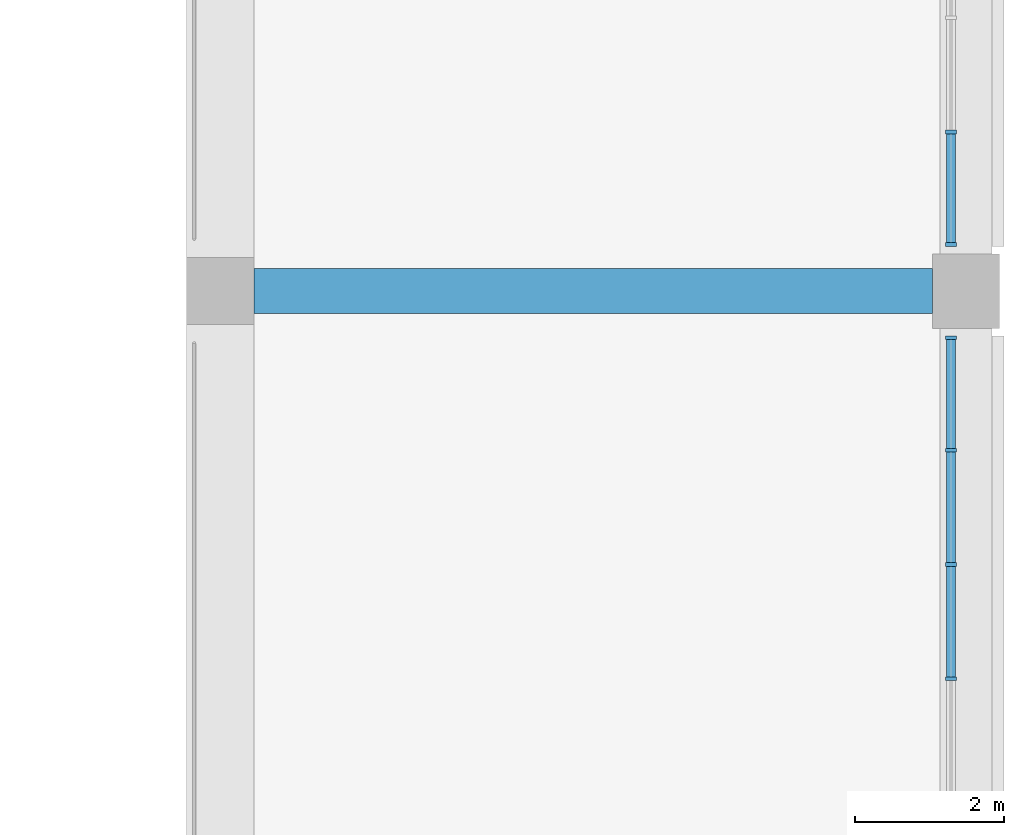
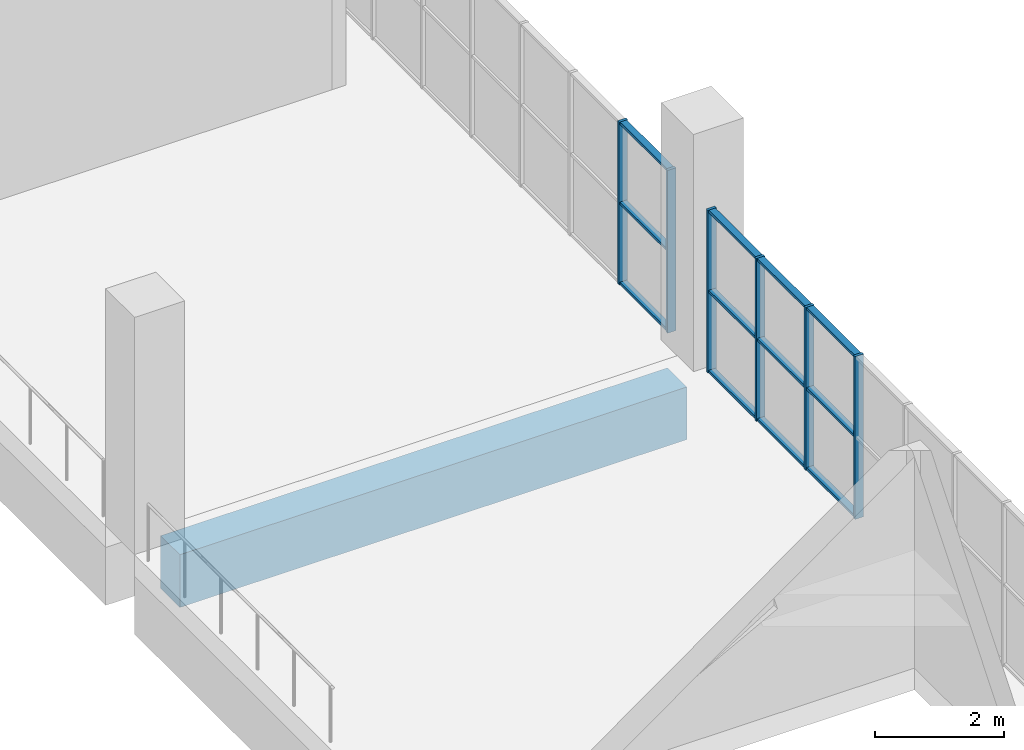
# One storey, part 26 of 177: 18 members, 1 beam, 2 elements without a shape of their own.
"""IFC4 building model written with IfcOpenShell, lengths in metres."""

from ifc_helpers import new_model, si_unit, direction, frame, origin, origin_2d, place, context, subcontext, project, spatial, rectangle, extrude, material, material_profile, profile_set, type_object, element, aggregate, save


model = new_model("IFC4")

# Units and contexts
model_context = context("Model", 3, precision=1e-05, world=origin(), true_north=direction((0.0, 1.0)))
body_context = subcontext(model_context, "Body", "Model", "MODEL_VIEW")
ifc_project = project(units=[si_unit("LENGTHUNIT", "METRE"), si_unit("AREAUNIT", "SQUARE_METRE"), si_unit("VOLUMEUNIT", "CUBIC_METRE"), si_unit("PLANEANGLEUNIT", "RADIAN"), si_unit("MASSUNIT", "GRAM", prefix="KILO")], contexts=[model_context])

# Site, building, storey
site_placement = place(None, origin())
site = spatial("IfcSite", under=ifc_project, at=site_placement, CompositionType="ELEMENT")
building_placement = place(site_placement, origin())
building = spatial("IfcBuilding", under=site, at=building_placement, Name="Ogive Plaza Stadium", CompositionType="ELEMENT")
storey_placement = place(building_placement, frame((0.0, 0.0, 18.0)))
storey = spatial("IfcBuildingStorey", under=building, at=storey_placement, Name="L04", CompositionType="ELEMENT", Elevation=18.0)

# Curtain wall, members
ifc_material_1 = material(Name="Bronze-anodised aluminium with laminated glass", Category="aluminium")
curtain_wall_type = type_object("IfcCurtainWallType", Name="Lancet curtain wall", PredefinedType="NOTDEFINED", material=ifc_material_1)
curtain_wall_1_placement = place(storey_placement, origin())
curtain_wall_1 = element("IfcCurtainWall", 1, at=curtain_wall_1_placement, inside=storey, type_object=curtain_wall_type, Name="CURTAIN WALL B02 L04", PredefinedType="NOTDEFINED")
ifc_material_2 = material(Name="Bronze-anodised aluminium", Category="aluminium")
ifc_material_profile_1 = material_profile(ifc_material_2, rectangle(XDim=0.14990234375, YDim=0.050048828125, at=origin_2d()), Name="AL 150x50")
ifc_profile_set_1 = profile_set([ifc_material_profile_1], Name="Bronze-anodised aluminium")
member_type_1 = type_object("IfcMemberType", Name="Curtain wall mullion 50x150", PredefinedType="MULLION", material=ifc_profile_set_1)
member_1_placement = place(storey_placement, frame((83.800048828125, 24.63330078125, 0.0), z_axis=(0.0, 0.0, 1.0), x_axis=(1.0, 0.0, 0.0)))
member_1 = element("IfcMember", 2, at=member_1_placement, type_object=member_type_1, Name="CW-B02-L04 mullion 9", PredefinedType="MULLION", context=body_context, shape_type="SweptSolid", body=[
    extrude(rectangle(XDim=0.14990234375, YDim=0.050048828125, at=origin_2d()), origin(), (0.0, 0.0, 1.0), 3.090087890625),
])
member_2_placement = place(storey_placement, frame((83.800048828125, 23.125, 0.0), z_axis=(0.0, 0.0, 1.0), x_axis=(1.0, 0.0, 0.0)))
member_2 = element("IfcMember", 3, at=member_2_placement, type_object=member_type_1, Name="CW-B02-L04 mullion 10", PredefinedType="MULLION", context=body_context, shape_type="SweptSolid", body=[
    extrude(rectangle(XDim=0.14990234375, YDim=0.050048828125, at=origin_2d()), origin(), (0.0, 0.0, 1.0), 3.090087890625),
])

curtain_wall_2_placement = place(storey_placement, origin())
curtain_wall_2 = element("IfcCurtainWall", 4, at=curtain_wall_2_placement, inside=storey, type_object=curtain_wall_type, Name="CURTAIN WALL B03 L04", PredefinedType="NOTDEFINED")
member_3_placement = place(storey_placement, frame((83.800048828125, 21.875, 0.0), z_axis=(0.0, 0.0, 1.0), x_axis=(1.0, 0.0, 0.0)))
member_3 = element("IfcMember", 5, at=member_3_placement, type_object=member_type_1, Name="CW-B03-L04 mullion 1", PredefinedType="MULLION", context=body_context, shape_type="SweptSolid", body=[
    extrude(rectangle(XDim=0.14990234375, YDim=0.050048828125, at=origin_2d()), origin(), (0.0, 0.0, 1.0), 3.090087890625),
])
member_4_placement = place(storey_placement, frame((83.800048828125, 20.36669921875, 0.0), z_axis=(0.0, 0.0, 1.0), x_axis=(1.0, 0.0, 0.0)))
member_4 = element("IfcMember", 6, at=member_4_placement, type_object=member_type_1, Name="CW-B03-L04 mullion 2", PredefinedType="MULLION", context=body_context, shape_type="SweptSolid", body=[
    extrude(rectangle(XDim=0.14990234375, YDim=0.050048828125, at=origin_2d()), origin(), (0.0, 0.0, 1.0), 3.090087890625),
])
member_5_placement = place(storey_placement, frame((83.800048828125, 18.833251953125, 0.0), z_axis=(0.0, 0.0, 1.0), x_axis=(1.0, 0.0, 0.0)))
member_5 = element("IfcMember", 7, at=member_5_placement, type_object=member_type_1, Name="CW-B03-L04 mullion 3", PredefinedType="MULLION", context=body_context, shape_type="SweptSolid", body=[
    extrude(rectangle(XDim=0.14990234375, YDim=0.050048828125, at=origin_2d()), origin(), (0.0, 0.0, 1.0), 3.090087890625),
])
member_6_placement = place(storey_placement, frame((83.800048828125, 17.300048828125, 0.0), z_axis=(0.0, 0.0, 1.0), x_axis=(1.0, 0.0, 0.0)))
member_6 = element("IfcMember", 8, at=member_6_placement, type_object=member_type_1, Name="CW-B03-L04 mullion 4", PredefinedType="MULLION", context=body_context, shape_type="SweptSolid", body=[
    extrude(rectangle(XDim=0.14990234375, YDim=0.050048828125, at=origin_2d()), origin(), (0.0, 0.0, 1.0), 3.090087890625),
])

# Member
ifc_material_3 = material(Name="Bronze-anodised aluminium", Category="aluminium")
ifc_material_profile_2 = material_profile(ifc_material_3, rectangle(XDim=0.1201171875, YDim=0.050048828125, at=origin_2d()), Name="AL 120x50")
ifc_profile_set_2 = profile_set([ifc_material_profile_2], Name="Bronze-anodised aluminium")
member_type_2 = type_object("IfcMemberType", Name="Curtain wall transom 50x120", PredefinedType="USERDEFINED", material=ifc_profile_set_2)
member_7_placement = place(storey_placement, frame((83.800048828125, 24.6083984375, 0.02490234375), z_axis=(0.0, -1.0, 0.0), x_axis=(1.0, 0.0, 0.0)))
member_7 = element("IfcMember", 9, at=member_7_placement, type_object=member_type_2, Name="CW-B02-L04 transom 9.1", ObjectType="TRANSOM", PredefinedType="USERDEFINED", context=body_context, shape_type="SweptSolid", body=[
    extrude(rectangle(XDim=0.1201171875, YDim=0.050048828125, at=origin_2d()), origin(), (0.0, 0.0, 1.0), 1.45849609375),
])

member_8_placement = place(storey_placement, frame((83.800048828125, 24.6083984375, 1.544921875), z_axis=(0.0, -1.0, 0.0), x_axis=(1.0, 0.0, 0.0)))
member_8 = element("IfcMember", 10, at=member_8_placement, type_object=member_type_2, Name="CW-B02-L04 transom 9.2", ObjectType="TRANSOM", PredefinedType="USERDEFINED", context=body_context, shape_type="SweptSolid", body=[
    extrude(rectangle(XDim=0.1201171875, YDim=0.050048828125, at=origin_2d()), origin(), (0.0, 0.0, 1.0), 1.45849609375),
])

member_9_placement = place(storey_placement, frame((83.800048828125, 24.6083984375, 3.06494140625), z_axis=(0.0, -1.0, 0.0), x_axis=(1.0, 0.0, 0.0)))
member_9 = element("IfcMember", 11, at=member_9_placement, type_object=member_type_2, Name="CW-B02-L04 transom 9.3", ObjectType="TRANSOM", PredefinedType="USERDEFINED", context=body_context, shape_type="SweptSolid", body=[
    extrude(rectangle(XDim=0.1201171875, YDim=0.050048828125, at=origin_2d()), origin(), (0.0, 0.0, 1.0), 1.45849609375),
])

aggregate(curtain_wall_1, [member_1, member_2, member_7, member_8, member_9])

member_10_placement = place(storey_placement, frame((83.800048828125, 21.85009765625, 0.02490234375), z_axis=(0.0, -1.0, 0.0), x_axis=(1.0, 0.0, 0.0)))
member_10 = element("IfcMember", 12, at=member_10_placement, type_object=member_type_2, Name="CW-B03-L04 transom 1.1", ObjectType="TRANSOM", PredefinedType="USERDEFINED", context=body_context, shape_type="SweptSolid", body=[
    extrude(rectangle(XDim=0.1201171875, YDim=0.050048828125, at=origin_2d()), origin(), (0.0, 0.0, 1.0), 1.45849609375),
])

member_11_placement = place(storey_placement, frame((83.800048828125, 21.85009765625, 1.544921875), z_axis=(0.0, -1.0, 0.0), x_axis=(1.0, 0.0, 0.0)))
member_11 = element("IfcMember", 13, at=member_11_placement, type_object=member_type_2, Name="CW-B03-L04 transom 1.2", ObjectType="TRANSOM", PredefinedType="USERDEFINED", context=body_context, shape_type="SweptSolid", body=[
    extrude(rectangle(XDim=0.1201171875, YDim=0.050048828125, at=origin_2d()), origin(), (0.0, 0.0, 1.0), 1.45849609375),
])

member_12_placement = place(storey_placement, frame((83.800048828125, 21.85009765625, 3.06494140625), z_axis=(0.0, -1.0, 0.0), x_axis=(1.0, 0.0, 0.0)))
member_12 = element("IfcMember", 14, at=member_12_placement, type_object=member_type_2, Name="CW-B03-L04 transom 1.3", ObjectType="TRANSOM", PredefinedType="USERDEFINED", context=body_context, shape_type="SweptSolid", body=[
    extrude(rectangle(XDim=0.1201171875, YDim=0.050048828125, at=origin_2d()), origin(), (0.0, 0.0, 1.0), 1.45849609375),
])

member_13_placement = place(storey_placement, frame((83.800048828125, 20.341552734375, 0.02490234375), z_axis=(0.0, -1.0, 0.0), x_axis=(1.0, 0.0, 0.0)))
member_13 = element("IfcMember", 15, at=member_13_placement, type_object=member_type_2, Name="CW-B03-L04 transom 2.1", ObjectType="TRANSOM", PredefinedType="USERDEFINED", context=body_context, shape_type="SweptSolid", body=[
    extrude(rectangle(XDim=0.1201171875, YDim=0.050048828125, at=origin_2d()), origin(), (0.0, 0.0, 1.0), 1.483154296875),
])

member_14_placement = place(storey_placement, frame((83.800048828125, 20.341552734375, 1.544921875), z_axis=(0.0, -1.0, 0.0), x_axis=(1.0, 0.0, 0.0)))
member_14 = element("IfcMember", 16, at=member_14_placement, type_object=member_type_2, Name="CW-B03-L04 transom 2.2", ObjectType="TRANSOM", PredefinedType="USERDEFINED", context=body_context, shape_type="SweptSolid", body=[
    extrude(rectangle(XDim=0.1201171875, YDim=0.050048828125, at=origin_2d()), origin(), (0.0, 0.0, 1.0), 1.483154296875),
])

member_15_placement = place(storey_placement, frame((83.800048828125, 20.341552734375, 3.06494140625), z_axis=(0.0, -1.0, 0.0), x_axis=(1.0, 0.0, 0.0)))
member_15 = element("IfcMember", 17, at=member_15_placement, type_object=member_type_2, Name="CW-B03-L04 transom 2.3", ObjectType="TRANSOM", PredefinedType="USERDEFINED", context=body_context, shape_type="SweptSolid", body=[
    extrude(rectangle(XDim=0.1201171875, YDim=0.050048828125, at=origin_2d()), origin(), (0.0, 0.0, 1.0), 1.483154296875),
])

member_16_placement = place(storey_placement, frame((83.800048828125, 18.808349609375, 0.02490234375), z_axis=(0.0, -1.0, 0.0), x_axis=(1.0, 0.0, 0.0)))
member_16 = element("IfcMember", 18, at=member_16_placement, type_object=member_type_2, Name="CW-B03-L04 transom 3.1", ObjectType="TRANSOM", PredefinedType="USERDEFINED", context=body_context, shape_type="SweptSolid", body=[
    extrude(rectangle(XDim=0.1201171875, YDim=0.050048828125, at=origin_2d()), origin(), (0.0, 0.0, 1.0), 1.4833984375),
])

member_17_placement = place(storey_placement, frame((83.800048828125, 18.808349609375, 1.544921875), z_axis=(0.0, -1.0, 0.0), x_axis=(1.0, 0.0, 0.0)))
member_17 = element("IfcMember", 19, at=member_17_placement, type_object=member_type_2, Name="CW-B03-L04 transom 3.2", ObjectType="TRANSOM", PredefinedType="USERDEFINED", context=body_context, shape_type="SweptSolid", body=[
    extrude(rectangle(XDim=0.1201171875, YDim=0.050048828125, at=origin_2d()), origin(), (0.0, 0.0, 1.0), 1.4833984375),
])

member_18_placement = place(storey_placement, frame((83.800048828125, 18.808349609375, 3.06494140625), z_axis=(0.0, -1.0, 0.0), x_axis=(1.0, 0.0, 0.0)))
member_18 = element("IfcMember", 20, at=member_18_placement, type_object=member_type_2, Name="CW-B03-L04 transom 3.3", ObjectType="TRANSOM", PredefinedType="USERDEFINED", context=body_context, shape_type="SweptSolid", body=[
    extrude(rectangle(XDim=0.1201171875, YDim=0.050048828125, at=origin_2d()), origin(), (0.0, 0.0, 1.0), 1.4833984375),
])

aggregate(curtain_wall_2, [member_3, member_4, member_5, member_6, member_10, member_11, member_12, member_13, member_14, member_15, member_16, member_17, member_18])

# Beam
ifc_material_4 = material(Name="Concrete C40/50", Category="concrete")
ifc_material_profile_3 = material_profile(ifc_material_4, rectangle(XDim=0.60009765625, YDim=1.0, at=origin_2d()), Name="RC 600x1000")
ifc_profile_set_3 = profile_set([ifc_material_profile_3], Name="Concrete C40/50")
beam_type = type_object("IfcBeamType", Name="RC radial beam 600x1000", PredefinedType="BEAM", material=ifc_profile_set_3)
beam_placement = place(storey_placement, frame((74.449951171875, 22.5, -0.909912109375), z_axis=(1.0, 0.0, 0.0), x_axis=(0.0, 1.0, 0.0)))
element("IfcBeam", 21, at=beam_placement, inside=storey, type_object=beam_type, Name="Radial beam L04 R03 F4F5", PredefinedType="BEAM", context=body_context, shape_type="SweptSolid", body=[
    extrude(rectangle(XDim=0.60009765625, YDim=1.0, at=origin_2d()), origin(), (0.0, 0.0, 1.0), 9.10009765625),
])

save(model, "model.ifc")
